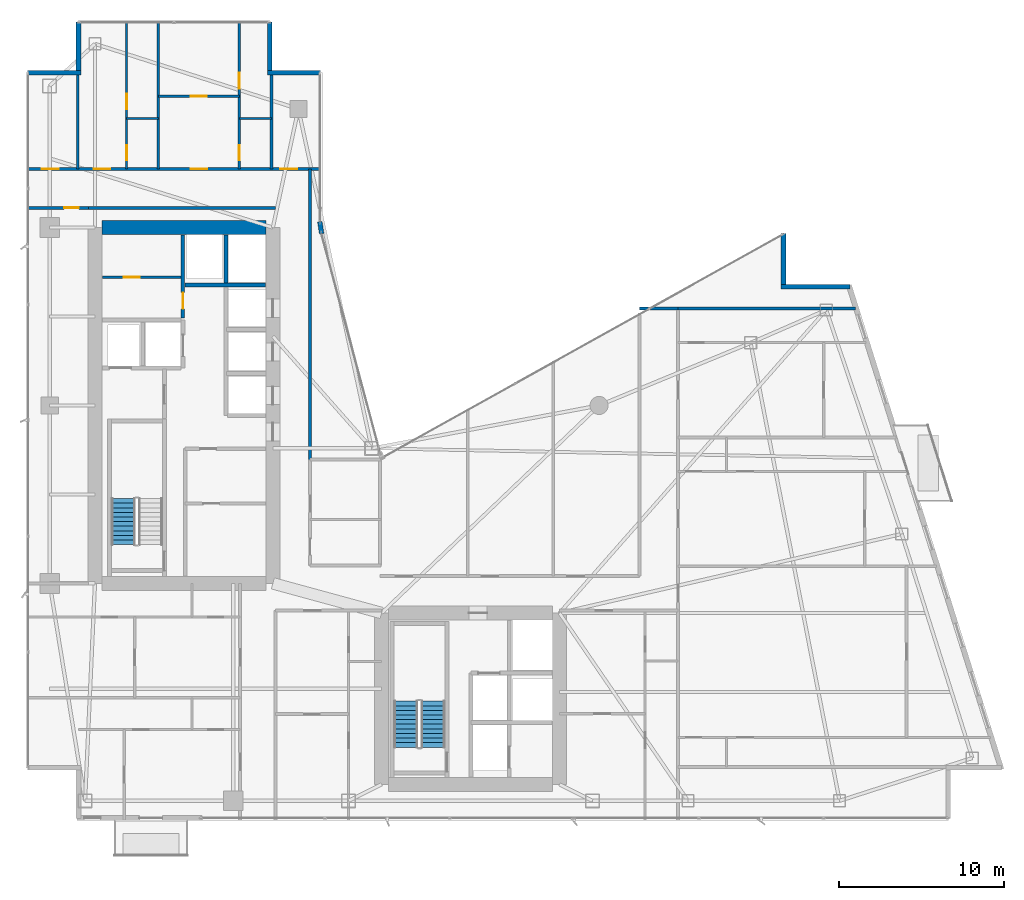
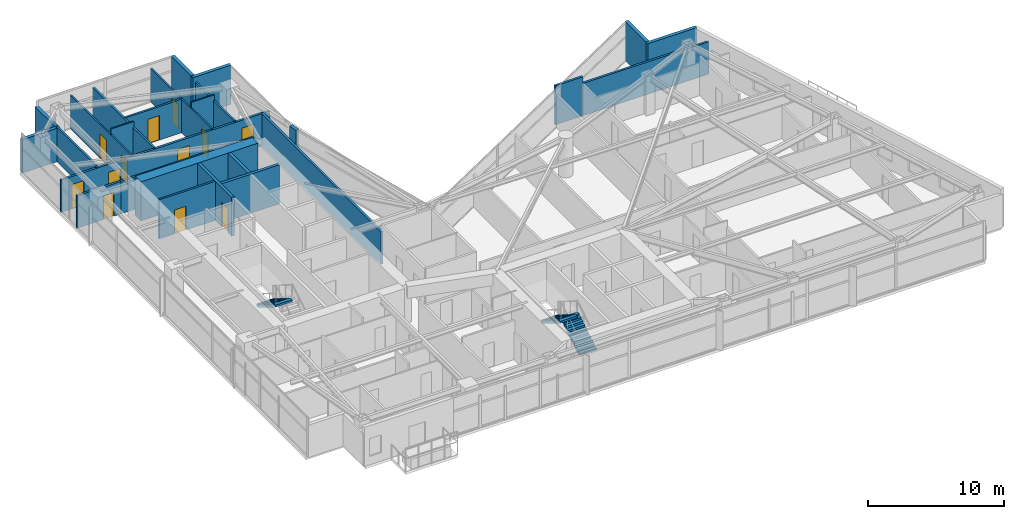
# One storey, part 25 of 28: 26 walls, 12 doors, 3 stair flights, 12 openings, 2 elements without a shape of their own.
"""IFC4 building model written with IfcOpenShell, lengths in metres."""

from ifc_helpers import new_model, si_unit, direction, frame, frame_2d, origin, place, context, subcontext, project, spatial, polyline, rectangle, outline, extrude, material, layer, layer_set, type_object, element, fill, aggregate, save


model = new_model("IFC4")

# Units and contexts
model_context = context("Model", 3, precision=1e-05, world=origin(), true_north=direction((0.0, 1.0)))
body_context = subcontext(model_context, "Body", "Model", "MODEL_VIEW")
ifc_project = project(units=[si_unit("LENGTHUNIT", "METRE"), si_unit("AREAUNIT", "SQUARE_METRE"), si_unit("VOLUMEUNIT", "CUBIC_METRE"), si_unit("PLANEANGLEUNIT", "RADIAN"), si_unit("MASSUNIT", "GRAM", prefix="KILO")], contexts=[model_context])

# Site, building, storey
site_placement = place(None, origin())
site = spatial("IfcSite", under=ifc_project, at=site_placement, CompositionType="ELEMENT")
building_placement = place(site_placement, origin())
building = spatial("IfcBuilding", under=site, at=building_placement, Name="Calvorn Quay Hotel", CompositionType="ELEMENT")
storey_placement = place(building_placement, frame((0.0, 0.0, 182.699951171875)))
storey = spatial("IfcBuildingStorey", under=building, at=storey_placement, Name="L45", CompositionType="ELEMENT", Elevation=182.699951171875)

# Wall
ifc_material_1 = material(Name="Concrete C50", Category="concrete")
ifc_layer_1 = layer(ifc_material_1, 0.85009765625)
ifc_layer_set_1 = layer_set([ifc_layer_1], Name="WL-CORE-850")
wall_type_1 = type_object("IfcWallType", Name="WL-CORE-850", PredefinedType="SHEAR", material=ifc_layer_set_1)
wall_1_placement = place(storey_placement, frame((4.625, 38.39990234375, 0.0), z_axis=(0.0, 0.0, 1.0), x_axis=(1.0, 0.0, 0.0)))
element("IfcWall", 1, at=wall_1_placement, inside=storey, type_object=wall_type_1, Name="West Core Shear Wall N (L45)", PredefinedType="SHEAR", context=body_context, shape_type="SweptSolid", body=[
    extrude(rectangle(XDim=9.949951171875, YDim=0.85009765625, at=frame_2d((4.97509765625, 0.0))), origin(), (0.0, 0.0, 1.0), 3.52001953125),
])

# Wall, opening, door
ifc_material_2 = material(Name="Acoustic Fireboard Steel-Stud Partition", Category="steel")
ifc_layer_2 = layer(ifc_material_2, 0.179931640625)
ifc_layer_set_2 = layer_set([ifc_layer_2], Name="WL-CORR-FIRE-180")
wall_type_2 = type_object("IfcWallType", Name="WL-CORR-FIRE-180", PredefinedType="PARTITIONING", material=ifc_layer_set_2)
wall_2_placement = place(storey_placement, frame((0.080078125, 39.60009765625, 0.0), z_axis=(0.0, 0.0, 1.0), x_axis=(1.0, 0.0, 0.0)))
wall_2 = element("IfcWall", 2, at=wall_2_placement, inside=storey, type_object=wall_type_2, Name="Partition Wall L45-WL-WBAY-N-DOOR", PredefinedType="PARTITIONING", context=body_context, shape_type="SweptSolid", body=[
    extrude(rectangle(XDim=3.724853515625, YDim=0.179931640625, at=frame_2d((1.8623046875, 0.0))), origin(), (0.0, 0.0, 1.0), 2.920166015625),
])
opening_1_placement = place(wall_2_placement, frame((2.25, 0.0, 0.0)))
opening_1 = element("IfcOpeningElement", 3, at=opening_1_placement, cuts=wall_2, Name="Opening D-L45-WBN", PredefinedType="OPENING", context=body_context, shape_type="SweptSolid", body=[
    extrude(rectangle(XDim=0.89990234375, YDim=2.14990234375, at=frame_2d((0.449951171875, 1.074951171875))), frame((0.0, 0.099853515625, 0.0), z_axis=(0.0, -1.0, 0.0), x_axis=(1.0, 0.0, 0.0)), (0.0, 0.0, 1.0), 0.199951171875),
])
ifc_material_3 = material(Name="Moisture-Sealed Timber En-Suite Door", Category="wood")
door_type_1 = type_object("IfcDoorType", Name="DR-ENSUITE-900", OperationType="NOTDEFINED", PredefinedType="DOOR", material=ifc_material_3)
door_1_placement = place(opening_1_placement, origin())
door_1 = element("IfcDoor", 4, at=door_1_placement, inside=storey, type_object=door_type_1, Name="West North Bay Door (L45)", OperationType="SINGLE_SWING_LEFT", OverallHeight=2.14990234375, OverallWidth=0.89990234375, PredefinedType="DOOR", context=body_context, shape_type="SweptSolid", body=[
    extrude(rectangle(XDim=0.89990234375, YDim=2.14990234375, at=frame_2d((0.449951171875, 1.074951171875))), frame((0.0, 0.02490234375, 0.0), z_axis=(0.0, -1.0, 0.0), x_axis=(1.0, 0.0, 0.0)), (0.0, 0.0, 1.0), 0.050048828125),
])
fill(opening_1, door_1)

# Wall, openings, doors
wall_3_placement = place(storey_placement, frame((0.080078125, 41.949951171875, 0.0), z_axis=(0.0, 0.0, 1.0), x_axis=(1.0, 0.0, 0.0)))
wall_3 = element("IfcWall", 5, at=wall_3_placement, inside=storey, type_object=wall_type_2, Name="Partition Wall L45-WL-CORR-NW-N", PredefinedType="PARTITIONING", context=body_context, shape_type="SweptSolid", body=[
    extrude(rectangle(XDim=17.77001953125, YDim=0.179931640625, at=frame_2d((8.885009765625, 0.0))), origin(), (0.0, 0.0, 1.0), 2.920166015625),
])
opening_2_placement = place(wall_3_placement, frame((0.89990234375, 0.0, 0.0)))
opening_2 = element("IfcOpeningElement", 6, at=opening_2_placement, cuts=wall_3, Name="Opening D-L45-NWW", PredefinedType="OPENING", context=body_context, shape_type="SweptSolid", body=[
    extrude(rectangle(XDim=1.02001953125, YDim=2.199951171875, at=frame_2d((0.510009765625, 1.10009765625))), frame((0.0, 0.099853515625, 0.0), z_axis=(0.0, -1.0, 0.0), x_axis=(1.0, 0.0, 0.0)), (0.0, 0.0, 1.0), 0.199951171875),
])
opening_3_placement = place(wall_3_placement, frame((4.0400390625, 0.0, 0.0)))
opening_3 = element("IfcOpeningElement", 7, at=opening_3_placement, cuts=wall_3, Name="Opening D-L45-U04", PredefinedType="OPENING", context=body_context, shape_type="SweptSolid", body=[
    extrude(rectangle(XDim=1.02001953125, YDim=2.199951171875, at=frame_2d((0.510009765625, 1.10009765625))), frame((0.0, 0.099853515625, 0.0), z_axis=(0.0, -1.0, 0.0), x_axis=(1.0, 0.0, 0.0)), (0.0, 0.0, 1.0), 0.199951171875),
])
opening_4_placement = place(wall_3_placement, frame((9.919921875, 0.0, 0.0)))
opening_4 = element("IfcOpeningElement", 8, at=opening_4_placement, cuts=wall_3, Name="Opening D-L45-U05", PredefinedType="OPENING", context=body_context, shape_type="SweptSolid", body=[
    extrude(rectangle(XDim=1.02001953125, YDim=2.199951171875, at=frame_2d((0.510009765625, 1.10009765625))), frame((0.0, 0.099853515625, 0.0), z_axis=(0.0, -1.0, 0.0), x_axis=(1.0, 0.0, 0.0)), (0.0, 0.0, 1.0), 0.199951171875),
])
opening_5_placement = place(wall_3_placement, frame((15.3701171875, 0.0, 0.0)))
opening_5 = element("IfcOpeningElement", 9, at=opening_5_placement, cuts=wall_3, Name="Opening D-L45-NWE", PredefinedType="OPENING", context=body_context, shape_type="SweptSolid", body=[
    extrude(rectangle(XDim=1.02001953125, YDim=2.199951171875, at=frame_2d((0.510009765625, 1.10009765625))), frame((0.0, 0.099853515625, 0.0), z_axis=(0.0, -1.0, 0.0), x_axis=(1.0, 0.0, 0.0)), (0.0, 0.0, 1.0), 0.199951171875),
])
ifc_material_4 = material(Name="Solid-Core Walnut Veneer Hotel Fire Door")
door_type_2 = type_object("IfcDoorType", Name="DR-GUEST-ENTRY-1020", OperationType="NOTDEFINED", PredefinedType="DOOR", material=ifc_material_4)
door_2_placement = place(opening_2_placement, origin())
door_2 = element("IfcDoor", 10, at=door_2_placement, inside=storey, type_object=door_type_2, Name="West Corner Study Door (L45)", OperationType="SINGLE_SWING_LEFT", OverallHeight=2.199951171875, OverallWidth=1.02001953125, PredefinedType="DOOR", context=body_context, shape_type="SweptSolid", body=[
    extrude(rectangle(XDim=1.02001953125, YDim=2.199951171875, at=frame_2d((0.510009765625, 1.10009765625))), frame((0.0, 0.02490234375, 0.0), z_axis=(0.0, -1.0, 0.0), x_axis=(1.0, 0.0, 0.0)), (0.0, 0.0, 1.0), 0.050048828125),
])
fill(opening_2, door_2)
door_3_placement = place(opening_3_placement, origin())
door_3 = element("IfcDoor", 11, at=door_3_placement, inside=storey, type_object=door_type_2, Name="North-West Unit Door U04 (L45)", OperationType="SINGLE_SWING_RIGHT", OverallHeight=2.199951171875, OverallWidth=1.02001953125, PredefinedType="DOOR", context=body_context, shape_type="SweptSolid", body=[
    extrude(rectangle(XDim=1.02001953125, YDim=2.199951171875, at=frame_2d((0.510009765625, 1.10009765625))), frame((0.0, 0.02490234375, 0.0), z_axis=(0.0, -1.0, 0.0), x_axis=(1.0, 0.0, 0.0)), (0.0, 0.0, 1.0), 0.050048828125),
])
fill(opening_3, door_3)
door_4_placement = place(opening_4_placement, origin())
door_4 = element("IfcDoor", 12, at=door_4_placement, inside=storey, type_object=door_type_2, Name="North-West Unit Door U05 (L45)", OperationType="SINGLE_SWING_LEFT", OverallHeight=2.199951171875, OverallWidth=1.02001953125, PredefinedType="DOOR", context=body_context, shape_type="SweptSolid", body=[
    extrude(rectangle(XDim=1.02001953125, YDim=2.199951171875, at=frame_2d((0.510009765625, 1.10009765625))), frame((0.0, 0.02490234375, 0.0), z_axis=(0.0, -1.0, 0.0), x_axis=(1.0, 0.0, 0.0)), (0.0, 0.0, 1.0), 0.050048828125),
])
fill(opening_4, door_4)
door_5_placement = place(opening_5_placement, origin())
door_5 = element("IfcDoor", 13, at=door_5_placement, inside=storey, type_object=door_type_2, Name="Inner Court Study Door (L45)", OperationType="SINGLE_SWING_RIGHT", OverallHeight=2.199951171875, OverallWidth=1.02001953125, PredefinedType="DOOR", context=body_context, shape_type="SweptSolid", body=[
    extrude(rectangle(XDim=1.02001953125, YDim=2.199951171875, at=frame_2d((0.510009765625, 1.10009765625))), frame((0.0, 0.02490234375, 0.0), z_axis=(0.0, -1.0, 0.0), x_axis=(1.0, 0.0, 0.0)), (0.0, 0.0, 1.0), 0.050048828125),
])
fill(opening_5, door_5)

# Walls
wall_4_placement = place(storey_placement, frame((17.25, 24.300048828125, 0.0), z_axis=(0.0, 0.0, 1.0), x_axis=(0.0, 1.0, 0.0)))
element("IfcWall", 14, at=wall_4_placement, inside=storey, type_object=wall_type_2, Name="Partition Wall L45-WL-NW-CLOSURE-E", PredefinedType="PARTITIONING", context=body_context, shape_type="SweptSolid", body=[
    extrude(rectangle(XDim=17.64990234375, YDim=0.179931640625, at=frame_2d((8.824951171875, 0.0))), origin(), (0.0, 0.0, 1.0), 2.920166015625),
])
wall_5_placement = place(storey_placement, frame((3.7548828125, 39.60009765625, 0.0), z_axis=(0.0, 0.0, 1.0), x_axis=(1.0, 0.0, 0.0)))
element("IfcWall", 15, at=wall_5_placement, inside=storey, type_object=wall_type_2, Name="Partition Wall L45-WL-W-SPUR-S", PredefinedType="PARTITIONING", context=body_context, shape_type="SweptSolid", body=[
    extrude(rectangle(XDim=11.39501953125, YDim=0.179931640625, at=frame_2d((5.697509765625, 0.0))), origin(), (0.0, 0.0, 1.0), 2.920166015625),
])
wall_6_placement = place(storey_placement, frame((39.60009765625, 33.47998046875, 0.0), z_axis=(0.0, 0.0, 1.0), x_axis=(1.0, 0.0, 0.0)))
element("IfcWall", 16, at=wall_6_placement, inside=storey, type_object=wall_type_2, Name="Partition Wall L45-WL-TIP-N", PredefinedType="PARTITIONING", context=body_context, shape_type="SweptSolid", body=[
    extrude(rectangle(XDim=10.760009765625, YDim=0.179931640625, at=frame_2d((5.3798828125, 0.0))), origin(), (0.0, 0.0, 1.0), 2.920166015625),
])
wall_7_placement = place(storey_placement, frame((37.25, 33.47998046875, 0.0), z_axis=(0.0, 0.0, 1.0), x_axis=(1.0, 0.0, 0.0)))
element("IfcWall", 17, at=wall_7_placement, inside=storey, type_object=wall_type_2, Name="Partition Wall L45-WL-CORR-TIP-NN", PredefinedType="PARTITIONING", context=body_context, shape_type="SweptSolid", body=[
    extrude(rectangle(XDim=2.35009765625, YDim=0.179931640625, at=frame_2d((1.175048828125, 0.0))), origin(), (0.0, 0.0, 1.0), 3.52001953125),
])
ifc_material_5 = material(Name="Moisture-Resistant Tile-Backed Partition")
ifc_layer_3 = layer(ifc_material_5, 0.125)
ifc_layer_set_3 = layer_set([ifc_layer_3], Name="WL-ENSUITE-125")
wall_type_3 = type_object("IfcWallType", Name="WL-ENSUITE-125", PredefinedType="PARTITIONING", material=ifc_layer_set_3)
wall_8_placement = place(storey_placement, frame((6.1201171875, 45.02001953125, 0.0), z_axis=(0.0, 0.0, 1.0), x_axis=(1.0, 0.0, 0.0)))
element("IfcWall", 18, at=wall_8_placement, inside=storey, type_object=wall_type_3, Name="Partition Wall L45-WL-U04-BDV", PredefinedType="PARTITIONING", context=body_context, shape_type="SweptSolid", body=[
    extrude(rectangle(XDim=1.929931640625, YDim=0.125, at=frame_2d((0.96484375, 0.0))), origin(), (0.0, 0.0, 1.0), 3.52001953125),
])

# Wall, openings, doors
wall_9_placement = place(storey_placement, frame((6.1201171875, 41.949951171875, 0.0), z_axis=(0.0, 0.0, 1.0), x_axis=(0.0, 1.0, 0.0)))
wall_9 = element("IfcWall", 19, at=wall_9_placement, inside=storey, type_object=wall_type_3, Name="Partition Wall L45-WL-U04-BV", PredefinedType="PARTITIONING", context=body_context, shape_type="SweptSolid", body=[
    extrude(rectangle(XDim=8.989990234375, YDim=0.125, at=frame_2d((4.4951171875, 0.0))), origin(), (0.0, 0.0, 1.0), 3.02001953125),
])
opening_6_placement = place(wall_9_placement, frame((0.550048828125, 0.0, 0.0)))
opening_6 = element("IfcOpeningElement", 20, at=opening_6_placement, cuts=wall_9, Name="Opening D-L45-E04", PredefinedType="OPENING", context=body_context, shape_type="SweptSolid", body=[
    extrude(rectangle(XDim=0.89990234375, YDim=2.14990234375, at=frame_2d((0.449951171875, 1.074951171875))), frame((0.0, 0.072509765625, 0.0), z_axis=(0.0, -1.0, 0.0), x_axis=(1.0, 0.0, 0.0)), (0.0, 0.0, 1.0), 0.14501953125),
])
opening_7_placement = place(wall_9_placement, frame((3.6201171875, 0.0, 0.0)))
opening_7 = element("IfcOpeningElement", 21, at=opening_7_placement, cuts=wall_9, Name="Opening D-L45-S04", PredefinedType="OPENING", context=body_context, shape_type="SweptSolid", body=[
    extrude(rectangle(XDim=0.9599609375, YDim=2.199951171875, at=frame_2d((0.47998046875, 1.10009765625))), frame((0.0, 0.072509765625, 0.0), z_axis=(0.0, -1.0, 0.0), x_axis=(1.0, 0.0, 0.0)), (0.0, 0.0, 1.0), 0.14501953125),
])
door_6_placement = place(opening_6_placement, origin())
door_6 = element("IfcDoor", 22, at=door_6_placement, inside=storey, type_object=door_type_1, Name="En-Suite Door 04", OperationType="SINGLE_SWING_LEFT", OverallHeight=2.14990234375, OverallWidth=0.89990234375, PredefinedType="DOOR", context=body_context, shape_type="SweptSolid", body=[
    extrude(rectangle(XDim=0.89990234375, YDim=2.14990234375, at=frame_2d((0.449951171875, 1.074951171875))), frame((0.0, 0.02490234375, 0.0), z_axis=(0.0, -1.0, 0.0), x_axis=(1.0, 0.0, 0.0)), (0.0, 0.0, 1.0), 0.050048828125),
])
fill(opening_6, door_6)
ifc_material_6 = material(Name="Solid Timber Internal Suite Door", Category="wood")
door_type_3 = type_object("IfcDoorType", Name="DR-SUITE-INT-960", OperationType="NOTDEFINED", PredefinedType="DOOR", material=ifc_material_6)
door_7_placement = place(opening_7_placement, origin())
door_7 = element("IfcDoor", 23, at=door_7_placement, inside=storey, type_object=door_type_3, Name="Children Play Nursery Door 04", OperationType="SINGLE_SWING_RIGHT", OverallHeight=2.199951171875, OverallWidth=0.9599609375, PredefinedType="DOOR", context=body_context, shape_type="SweptSolid", body=[
    extrude(rectangle(XDim=0.9599609375, YDim=2.199951171875, at=frame_2d((0.47998046875, 1.10009765625))), frame((0.0, 0.02490234375, 0.0), z_axis=(0.0, -1.0, 0.0), x_axis=(1.0, 0.0, 0.0)), (0.0, 0.0, 1.0), 0.050048828125),
])
fill(opening_7, door_7)

# Wall
wall_10_placement = place(storey_placement, frame((12.9599609375, 45.02001953125, 0.0), z_axis=(0.0, 0.0, 1.0), x_axis=(1.0, 0.0, 0.0)))
element("IfcWall", 24, at=wall_10_placement, inside=storey, type_object=wall_type_3, Name="Partition Wall L45-WL-U05-BDV", PredefinedType="PARTITIONING", context=body_context, shape_type="SweptSolid", body=[
    extrude(rectangle(XDim=1.9599609375, YDim=0.125, at=frame_2d((0.97998046875, 0.0))), origin(), (0.0, 0.0, 1.0), 3.52001953125),
])

# Wall, openings, doors
wall_11_placement = place(storey_placement, frame((12.9599609375, 41.949951171875, 0.0), z_axis=(0.0, 0.0, 1.0), x_axis=(0.0, 1.0, 0.0)))
wall_11 = element("IfcWall", 25, at=wall_11_placement, inside=storey, type_object=wall_type_3, Name="Partition Wall L45-WL-U05-BV", PredefinedType="PARTITIONING", context=body_context, shape_type="SweptSolid", body=[
    extrude(rectangle(XDim=8.989990234375, YDim=0.125, at=frame_2d((4.4951171875, 0.0))), origin(), (0.0, 0.0, 1.0), 3.02001953125),
])
opening_8_placement = place(wall_11_placement, frame((0.550048828125, 0.0, 0.0)))
opening_8 = element("IfcOpeningElement", 26, at=opening_8_placement, cuts=wall_11, Name="Opening D-L45-E05", PredefinedType="OPENING", context=body_context, shape_type="SweptSolid", body=[
    extrude(rectangle(XDim=0.89990234375, YDim=2.14990234375, at=frame_2d((0.449951171875, 1.074951171875))), frame((0.0, 0.072509765625, 0.0), z_axis=(0.0, -1.0, 0.0), x_axis=(1.0, 0.0, 0.0)), (0.0, 0.0, 1.0), 0.14501953125),
])
opening_9_placement = place(wall_11_placement, frame((4.8798828125, 0.0, 0.0)))
opening_9 = element("IfcOpeningElement", 27, at=opening_9_placement, cuts=wall_11, Name="Opening D-L45-S05", PredefinedType="OPENING", context=body_context, shape_type="SweptSolid", body=[
    extrude(rectangle(XDim=0.9599609375, YDim=2.199951171875, at=frame_2d((0.47998046875, 1.10009765625))), frame((0.0, 0.072509765625, 0.0), z_axis=(0.0, -1.0, 0.0), x_axis=(1.0, 0.0, 0.0)), (0.0, 0.0, 1.0), 0.14501953125),
])
door_8_placement = place(opening_8_placement, origin())
door_8 = element("IfcDoor", 28, at=door_8_placement, inside=storey, type_object=door_type_1, Name="En-Suite Door 05", OperationType="SINGLE_SWING_LEFT", OverallHeight=2.14990234375, OverallWidth=0.89990234375, PredefinedType="DOOR", context=body_context, shape_type="SweptSolid", body=[
    extrude(rectangle(XDim=0.89990234375, YDim=2.14990234375, at=frame_2d((0.449951171875, 1.074951171875))), frame((0.0, 0.02490234375, 0.0), z_axis=(0.0, -1.0, 0.0), x_axis=(1.0, 0.0, 0.0)), (0.0, 0.0, 1.0), 0.050048828125),
])
fill(opening_8, door_8)
door_9_placement = place(opening_9_placement, origin())
door_9 = element("IfcDoor", 29, at=door_9_placement, inside=storey, type_object=door_type_3, Name="Children Play Nursery Door 05", OperationType="SINGLE_SWING_RIGHT", OverallHeight=2.199951171875, OverallWidth=0.9599609375, PredefinedType="DOOR", context=body_context, shape_type="SweptSolid", body=[
    extrude(rectangle(XDim=0.9599609375, YDim=2.199951171875, at=frame_2d((0.47998046875, 1.10009765625))), frame((0.0, 0.02490234375, 0.0), z_axis=(0.0, -1.0, 0.0), x_axis=(1.0, 0.0, 0.0)), (0.0, 0.0, 1.0), 0.050048828125),
])
fill(opening_9, door_9)

# Walls
ifc_material_7 = material(Name="Concrete C40", Category="concrete")
ifc_layer_4 = layer(ifc_material_7, 0.320068359375)
ifc_layer_set_4 = layer_set([ifc_layer_4], Name="WL-EXT-SPANDREL-320")
wall_type_4 = type_object("IfcWallType", Name="WL-EXT-SPANDREL-320", PredefinedType="SOLIDWALL", material=ifc_layer_set_4)
wall_12_placement = place(storey_placement, frame((17.9619140625, 38.030029296875, 0.0), z_axis=(0.0, 0.0, 1.0), x_axis=(-0.15141125477, 0.988470855377, 0.0)))
element("IfcWall", 30, at=wall_12_placement, inside=storey, type_object=wall_type_4, Name="Inner Court Corner Pier L45-ICJ2", PredefinedType="SOLIDWALL", context=body_context, shape_type="SweptSolid", body=[
    extrude(rectangle(XDim=0.738525390625, YDim=0.280029296875, at=frame_2d((0.369140625, 0.0))), origin(), (0.0, 0.0, 1.0), 3.52001953125),
])
wall_13_placement = place(storey_placement, frame((50.0400390625, 34.800048828125, 0.0), z_axis=(0.0, 0.0, 1.0), x_axis=(-1.0, 0.0, 0.0)))
element("IfcWall", 31, at=wall_13_placement, inside=storey, type_object=wall_type_4, Name="Notched Corner Spandrel L45-NE1", PredefinedType="SOLIDWALL", context=body_context, shape_type="SweptSolid", body=[
    extrude(rectangle(XDim=4.179931640625, YDim=0.280029296875, at=frame_2d((2.08984375, 0.0))), origin(), (0.0, 0.0, 1.0), 3.52001953125),
])
wall_14_placement = place(storey_placement, frame((46.0, 34.93994140625, 0.0), z_axis=(0.0, 0.0, 1.0), x_axis=(0.0, 1.0, 0.0)))
element("IfcWall", 32, at=wall_14_placement, inside=storey, type_object=wall_type_4, Name="Notched Corner Spandrel L45-NE2", PredefinedType="SOLIDWALL", context=body_context, shape_type="SweptSolid", body=[
    extrude(rectangle(XDim=3.10009765625, YDim=0.280029296875, at=frame_2d((1.550048828125, 0.0))), origin(), (0.0, 0.0, 1.0), 3.52001953125),
])
wall_15_placement = place(storey_placement, frame((17.89990234375, 47.800048828125, 0.0), z_axis=(0.0, 0.0, 1.0), x_axis=(-1.0, 0.0, 0.0)))
element("IfcWall", 33, at=wall_15_placement, inside=storey, type_object=wall_type_4, Name="Notched Corner Spandrel L45-NWE1", PredefinedType="SOLIDWALL", context=body_context, shape_type="SweptSolid", body=[
    extrude(rectangle(XDim=3.239990234375, YDim=0.280029296875, at=frame_2d((1.6201171875, 0.0))), origin(), (0.0, 0.0, 1.0), 3.52001953125),
])
wall_16_placement = place(storey_placement, frame((14.800048828125, 47.93994140625, 0.0), z_axis=(0.0, 0.0, 1.0), x_axis=(0.0, 1.0, 0.0)))
element("IfcWall", 34, at=wall_16_placement, inside=storey, type_object=wall_type_4, Name="Notched Corner Spandrel L45-NWE2", PredefinedType="SOLIDWALL", context=body_context, shape_type="SweptSolid", body=[
    extrude(rectangle(XDim=2.93994140625, YDim=0.280029296875, at=frame_2d((1.469970703125, 0.0))), origin(), (0.0, 0.0, 1.0), 3.52001953125),
])
wall_17_placement = place(storey_placement, frame((3.199951171875, 50.8798828125, 0.0), z_axis=(0.0, 0.0, 1.0), x_axis=(0.0, -1.0, 0.0)))
element("IfcWall", 35, at=wall_17_placement, inside=storey, type_object=wall_type_4, Name="Notched Corner Spandrel L45-NW1", PredefinedType="SOLIDWALL", context=body_context, shape_type="SweptSolid", body=[
    extrude(rectangle(XDim=2.93994140625, YDim=0.280029296875, at=frame_2d((1.469970703125, 0.0))), origin(), (0.0, 0.0, 1.0), 3.02001953125),
])
wall_18_placement = place(storey_placement, frame((3.340087890625, 47.800048828125, 0.0), z_axis=(0.0, 0.0, 1.0), x_axis=(-1.0, 0.0, 0.0)))
element("IfcWall", 36, at=wall_18_placement, inside=storey, type_object=wall_type_4, Name="Notched Corner Spandrel L45-NW2", PredefinedType="SOLIDWALL", context=body_context, shape_type="SweptSolid", body=[
    extrude(rectangle(XDim=3.219970703125, YDim=0.280029296875, at=frame_2d((1.60986328125, 0.0))), origin(), (0.0, 0.0, 1.0), 3.02001953125),
])

# Wall, opening, door
ifc_material_8 = material(Name="Double-Stud Acoustic Gypsum Partition")
ifc_layer_5 = layer(ifc_material_8, 0.159912109375)
ifc_layer_set_5 = layer_set([ifc_layer_5], Name="WL-INTERSUITE-160")
wall_type_5 = type_object("IfcWallType", Name="WL-INTERSUITE-160", PredefinedType="PARTITIONING", material=ifc_layer_set_5)
wall_19_placement = place(storey_placement, frame((4.64501953125, 35.3798828125, 0.0), z_axis=(0.0, 0.0, 1.0), x_axis=(1.0, 0.0, 0.0)))
wall_19 = element("IfcWall", 37, at=wall_19_placement, inside=storey, type_object=wall_type_5, Name="Partition Wall L45-WL-CWW-K-MID", PredefinedType="PARTITIONING", context=body_context, shape_type="SweptSolid", body=[
    extrude(rectangle(XDim=4.77490234375, YDim=0.159912109375, at=frame_2d((2.387451171875, 0.0))), origin(), (0.0, 0.0, 1.0), 3.52001953125),
])
opening_10_placement = place(wall_19_placement, frame((1.300048828125, 0.0, 0.0)))
opening_10 = element("IfcOpeningElement", 38, at=opening_10_placement, cuts=wall_19, Name="Opening D-L45-CK2", PredefinedType="OPENING", context=body_context, shape_type="SweptSolid", body=[
    extrude(rectangle(XDim=0.97998046875, YDim=2.14990234375, at=frame_2d((0.489990234375, 1.074951171875))), frame((0.0, 0.08984375, 0.0), z_axis=(0.0, -1.0, 0.0), x_axis=(1.0, 0.0, 0.0)), (0.0, 0.0, 1.0), 0.179931640625),
])
ifc_material_9 = material(Name="Painted Steel Housekeeping/Riser Fire Door", Category="steel")
door_type_4 = type_object("IfcDoorType", Name="DR-SERVICE-980", OperationType="NOTDEFINED", PredefinedType="DOOR", material=ifc_material_9)
door_10_placement = place(opening_10_placement, origin())
door_10 = element("IfcDoor", 39, at=door_10_placement, inside=storey, type_object=door_type_4, Name="Electrical Riser Door (L45)", OperationType="SINGLE_SWING_RIGHT", OverallHeight=2.14990234375, OverallWidth=0.97998046875, PredefinedType="DOOR", context=body_context, shape_type="SweptSolid", body=[
    extrude(rectangle(XDim=0.97998046875, YDim=2.14990234375, at=frame_2d((0.489990234375, 1.074951171875))), frame((0.0, 0.02490234375, 0.0), z_axis=(0.0, -1.0, 0.0), x_axis=(1.0, 0.0, 0.0)), (0.0, 0.0, 1.0), 0.050048828125),
])
fill(opening_10, door_10)

# Walls
wall_20_placement = place(storey_placement, frame((3.14990234375, 41.949951171875, 0.0), z_axis=(0.0, 0.0, 1.0), x_axis=(0.0, 1.0, 0.0)))
element("IfcWall", 40, at=wall_20_placement, inside=storey, type_object=wall_type_5, Name="Partition Wall L45-WL-NW-DIV-W0", PredefinedType="PARTITIONING", context=body_context, shape_type="SweptSolid", body=[
    extrude(rectangle(XDim=5.85009765625, YDim=0.159912109375, at=frame_2d((2.925048828125, 0.0))), origin(), (0.0, 0.0, 1.0), 3.1201171875),
])
wall_21_placement = place(storey_placement, frame((14.919921875, 41.949951171875, 0.0), z_axis=(0.0, 0.0, 1.0), x_axis=(0.0, 1.0, 0.0)))
element("IfcWall", 41, at=wall_21_placement, inside=storey, type_object=wall_type_5, Name="Partition Wall L45-WL-NW-DIV-E0", PredefinedType="PARTITIONING", context=body_context, shape_type="SweptSolid", body=[
    extrude(rectangle(XDim=5.85009765625, YDim=0.159912109375, at=frame_2d((2.925048828125, 0.0))), origin(), (0.0, 0.0, 1.0), 3.02001953125),
])

# Wall, opening, door
wall_22_placement = place(storey_placement, frame((8.050048828125, 46.3798828125, 0.0), z_axis=(0.0, 0.0, 1.0), x_axis=(1.0, 0.0, 0.0)))
wall_22 = element("IfcWall", 42, at=wall_22_placement, inside=storey, type_object=wall_type_5, Name="Partition Wall L45-WL-U05-MSP", PredefinedType="PARTITIONING", context=body_context, shape_type="SweptSolid", body=[
    extrude(rectangle(XDim=4.909912109375, YDim=0.159912109375, at=frame_2d((2.455078125, 0.0))), origin(), (0.0, 0.0, 1.0), 3.02001953125),
])
opening_11_placement = place(wall_22_placement, frame((1.97998046875, 0.0, 0.0)))
opening_11 = element("IfcOpeningElement", 43, at=opening_11_placement, cuts=wall_22, Name="Opening D-L45-M05", PredefinedType="OPENING", context=body_context, shape_type="SweptSolid", body=[
    extrude(rectangle(XDim=0.9599609375, YDim=2.199951171875, at=frame_2d((0.47998046875, 1.10009765625))), frame((0.0, 0.08984375, 0.0), z_axis=(0.0, -1.0, 0.0), x_axis=(1.0, 0.0, 0.0)), (0.0, 0.0, 1.0), 0.179931640625),
])
door_11_placement = place(opening_11_placement, origin())
door_11 = element("IfcDoor", 44, at=door_11_placement, inside=storey, type_object=door_type_3, Name="Suite Bedroom Door 05", OperationType="SINGLE_SWING_LEFT", OverallHeight=2.199951171875, OverallWidth=0.9599609375, PredefinedType="DOOR", context=body_context, shape_type="SweptSolid", body=[
    extrude(rectangle(XDim=0.9599609375, YDim=2.199951171875, at=frame_2d((0.47998046875, 1.10009765625))), frame((0.0, 0.02490234375, 0.0), z_axis=(0.0, -1.0, 0.0), x_axis=(1.0, 0.0, 0.0)), (0.0, 0.0, 1.0), 0.050048828125),
])
fill(opening_11, door_11)

# Wall
wall_23_placement = place(storey_placement, frame((8.050048828125, 41.949951171875, 0.0), z_axis=(0.0, 0.0, 1.0), x_axis=(0.0, 1.0, 0.0)))
element("IfcWall", 45, at=wall_23_placement, inside=storey, type_object=wall_type_5, Name="Partition Wall L45-WL-NW-DIV-1", PredefinedType="PARTITIONING", context=body_context, shape_type="SweptSolid", body=[
    extrude(rectangle(XDim=8.989990234375, YDim=0.159912109375, at=frame_2d((4.4951171875, 0.0))), origin(), (0.0, 0.0, 1.0), 3.02001953125),
])

# Wall, opening, door
ifc_material_10 = material(Name="Autoclaved Aerated Masonry Block", Category="masonry")
ifc_layer_6 = layer(ifc_material_10, 0.219970703125)
ifc_layer_set_6 = layer_set([ifc_layer_6], Name="WL-LOBBY-FIRE-220")
wall_type_6 = type_object("IfcWallType", Name="WL-LOBBY-FIRE-220", PredefinedType="SOLIDWALL", material=ifc_layer_set_6)
wall_24_placement = place(storey_placement, frame((9.5400390625, 32.919921875, 0.0), z_axis=(0.0, 0.0, 1.0), x_axis=(0.0, 1.0, 0.0)))
wall_24 = element("IfcWall", 46, at=wall_24_placement, inside=storey, type_object=wall_type_6, Name="Partition Wall L45-WL-CWW-K-E", PredefinedType="SOLIDWALL", context=body_context, shape_type="SweptSolid", body=[
    extrude(rectangle(XDim=5.03515625, YDim=0.219970703125, at=frame_2d((2.517578125, 0.0))), origin(), (0.0, 0.0, 1.0), 3.52001953125),
])
opening_12_placement = place(wall_24_placement, frame((0.550048828125, 0.0, 0.0)))
opening_12 = element("IfcOpeningElement", 47, at=opening_12_placement, cuts=wall_24, Name="Opening D-L45-CK1", PredefinedType="OPENING", context=body_context, shape_type="SweptSolid", body=[
    extrude(rectangle(XDim=0.97998046875, YDim=2.14990234375, at=frame_2d((0.489990234375, 1.074951171875))), frame((0.0, 0.119873046875, 0.0), z_axis=(0.0, -1.0, 0.0), x_axis=(1.0, 0.0, 0.0)), (0.0, 0.0, 1.0), 0.239990234375),
])
door_12_placement = place(opening_12_placement, origin())
door_12 = element("IfcDoor", 48, at=door_12_placement, inside=storey, type_object=door_type_4, Name="Core Housekeeping Door (L45)", OperationType="SINGLE_SWING_LEFT", OverallHeight=2.14990234375, OverallWidth=0.97998046875, PredefinedType="DOOR", context=body_context, shape_type="SweptSolid", body=[
    extrude(rectangle(XDim=0.97998046875, YDim=2.14990234375, at=frame_2d((0.489990234375, 1.074951171875))), frame((0.0, 0.02490234375, 0.0), z_axis=(0.0, -1.0, 0.0), x_axis=(1.0, 0.0, 0.0)), (0.0, 0.0, 1.0), 0.050048828125),
])
fill(opening_12, door_12)

# Walls
ifc_material_11 = material(Name="Concrete C40", Category="concrete")
ifc_layer_7 = layer(ifc_material_11, 0.239990234375)
ifc_layer_set_7 = layer_set([ifc_layer_7], Name="WL-SHAFT-240")
wall_type_7 = type_object("IfcWallType", Name="WL-SHAFT-240", PredefinedType="SOLIDWALL", material=ifc_layer_set_7)
wall_25_placement = place(storey_placement, frame((9.659912109375, 34.89990234375, 0.0), z_axis=(0.0, 0.0, 1.0), x_axis=(1.0, 0.0, 0.0)))
element("IfcWall", 49, at=wall_25_placement, inside=storey, type_object=wall_type_7, Name="Partition Wall L45-WL-CWW-PLH-S", PredefinedType="SOLIDWALL", context=body_context, shape_type="SweptSolid", body=[
    extrude(rectangle(XDim=4.89501953125, YDim=0.239990234375, at=frame_2d((2.447509765625, 0.0))), origin(), (0.0, 0.0, 1.0), 3.52001953125),
])
wall_26_placement = place(storey_placement, frame((12.14990234375, 35.02001953125, 0.0), z_axis=(0.0, 0.0, 1.0), x_axis=(0.0, 1.0, 0.0)))
element("IfcWall", 50, at=wall_26_placement, inside=storey, type_object=wall_type_7, Name="Partition Wall L45-WL-CWW-PLH-DIV", PredefinedType="SOLIDWALL", context=body_context, shape_type="SweptSolid", body=[
    extrude(rectangle(XDim=2.93505859375, YDim=0.239990234375, at=frame_2d((1.467529296875, 0.0))), origin(), (0.0, 0.0, 1.0), 3.52001953125),
])

# Stair, stair flight
ifc_material_12 = material(Name="Concrete C40", Category="concrete")
stair_type = type_object("IfcStairType", Name="STR-CORE-DOGLEG", PredefinedType="HALF_TURN_STAIR", material=ifc_material_12)
stair_1_placement = place(storey_placement, origin())
stair_1 = element("IfcStair", 51, at=stair_1_placement, inside=storey, type_object=stair_type, Name="L45 ST-W", PredefinedType="HALF_TURN_STAIR")
ifc_material_13 = material(Name="Concrete C40", Category="concrete")
stair_flight_type = type_object("IfcStairFlightType", Name="FLT-CORE-1550", PredefinedType="STRAIGHT", material=ifc_material_13)
stair_flight_1_placement = place(storey_placement, frame((5.925048828125, 21.949951171875, 1.900146484375), z_axis=(0.0, 0.0, 1.0), x_axis=(0.0, -1.0, 0.0)))
stair_flight_1 = element("IfcStairFlight", 52, at=stair_flight_1_placement, type_object=stair_flight_type, Name="ST-W flight 2", NumberOfRisers=11, NumberOfTreads=10, PredefinedType="STRAIGHT", RiserHeight=0.172727273, TreadLength=0.28, context=body_context, shape_type="SweptSolid", body=[
    extrude(outline(polyline([(0.0, 0.0), (0.0, 0.172607421875), (0.280029296875, 0.172607421875), (0.280029296875, 0.345458984375), (0.56005859375, 0.345458984375), (0.56005859375, 0.51806640625), (0.840087890625, 0.51806640625), (0.840087890625, 0.69091796875), (1.1201171875, 0.69091796875), (1.1201171875, 0.863525390625), (1.39990234375, 0.863525390625), (1.39990234375, 1.036376953125), (1.679931640625, 1.036376953125), (1.679931640625, 1.208984375), (1.9599609375, 1.208984375), (1.9599609375, 1.3818359375), (2.239990234375, 1.3818359375), (2.239990234375, 1.554443359375), (2.52001953125, 1.554443359375), (2.52001953125, 1.727294921875), (2.800048828125, 1.727294921875), (2.800048828125, 1.89990234375), (2.800048828125, 1.551025390625), (0.285400390625, 0.0), (0.0, 0.0)])), frame((0.0, 0.72509765625, 0.0), z_axis=(0.0, -1.0, 0.0), x_axis=(1.0, 0.0, 0.0)), (0.0, 0.0, 1.0), 1.449951171875),
])
aggregate(stair_1, [stair_flight_1])

# Stair, stair flights
stair_2_placement = place(storey_placement, origin())
stair_2 = element("IfcStair", 53, at=stair_2_placement, inside=storey, type_object=stair_type, Name="L45 ST-E", PredefinedType="HALF_TURN_STAIR")
stair_flight_2_placement = place(storey_placement, frame((24.72509765625, 6.85009765625, 0.0), z_axis=(0.0, 0.0, 1.0), x_axis=(0.0, 1.0, 0.0)))
stair_flight_2 = element("IfcStairFlight", 54, at=stair_flight_2_placement, type_object=stair_flight_type, Name="ST-E flight 1", NumberOfRisers=11, NumberOfTreads=10, PredefinedType="STRAIGHT", RiserHeight=0.172727273, TreadLength=0.28, context=body_context, shape_type="SweptSolid", body=[
    extrude(outline(polyline([(0.0, 0.0), (0.0, 0.172607421875), (0.280029296875, 0.172607421875), (0.280029296875, 0.345458984375), (0.56005859375, 0.345458984375), (0.56005859375, 0.51806640625), (0.840087890625, 0.51806640625), (0.840087890625, 0.69091796875), (1.1201171875, 0.69091796875), (1.1201171875, 0.863525390625), (1.39990234375, 0.863525390625), (1.39990234375, 1.036376953125), (1.679931640625, 1.036376953125), (1.679931640625, 1.208984375), (1.9599609375, 1.208984375), (1.9599609375, 1.3818359375), (2.239990234375, 1.3818359375), (2.239990234375, 1.554443359375), (2.52001953125, 1.554443359375), (2.52001953125, 1.727294921875), (2.800048828125, 1.727294921875), (2.800048828125, 1.89990234375), (2.800048828125, 1.551025390625), (0.285400390625, 0.0), (0.0, 0.0)])), frame((0.0, 0.72509765625, 0.0), z_axis=(0.0, -1.0, 0.0), x_axis=(1.0, 0.0, 0.0)), (0.0, 0.0, 1.0), 1.449951171875),
])
stair_flight_3_placement = place(storey_placement, frame((23.074951171875, 9.64990234375, 1.900146484375), z_axis=(0.0, 0.0, 1.0), x_axis=(0.0, -1.0, 0.0)))
stair_flight_3 = element("IfcStairFlight", 55, at=stair_flight_3_placement, type_object=stair_flight_type, Name="ST-E flight 2", NumberOfRisers=11, NumberOfTreads=10, PredefinedType="STRAIGHT", RiserHeight=0.172727273, TreadLength=0.28, context=body_context, shape_type="SweptSolid", body=[
    extrude(outline(polyline([(0.0, 0.0), (0.0, 0.172607421875), (0.280029296875, 0.172607421875), (0.280029296875, 0.345458984375), (0.56005859375, 0.345458984375), (0.56005859375, 0.51806640625), (0.840087890625, 0.51806640625), (0.840087890625, 0.69091796875), (1.1201171875, 0.69091796875), (1.1201171875, 0.863525390625), (1.39990234375, 0.863525390625), (1.39990234375, 1.036376953125), (1.679931640625, 1.036376953125), (1.679931640625, 1.208984375), (1.9599609375, 1.208984375), (1.9599609375, 1.3818359375), (2.239990234375, 1.3818359375), (2.239990234375, 1.554443359375), (2.52001953125, 1.554443359375), (2.52001953125, 1.727294921875), (2.800048828125, 1.727294921875), (2.800048828125, 1.89990234375), (2.800048828125, 1.551025390625), (0.285400390625, 0.0), (0.0, 0.0)])), frame((0.0, 0.72509765625, 0.0), z_axis=(0.0, -1.0, 0.0), x_axis=(1.0, 0.0, 0.0)), (0.0, 0.0, 1.0), 1.449951171875),
])
aggregate(stair_2, [stair_flight_2, stair_flight_3])

save(model, "model.ifc")
